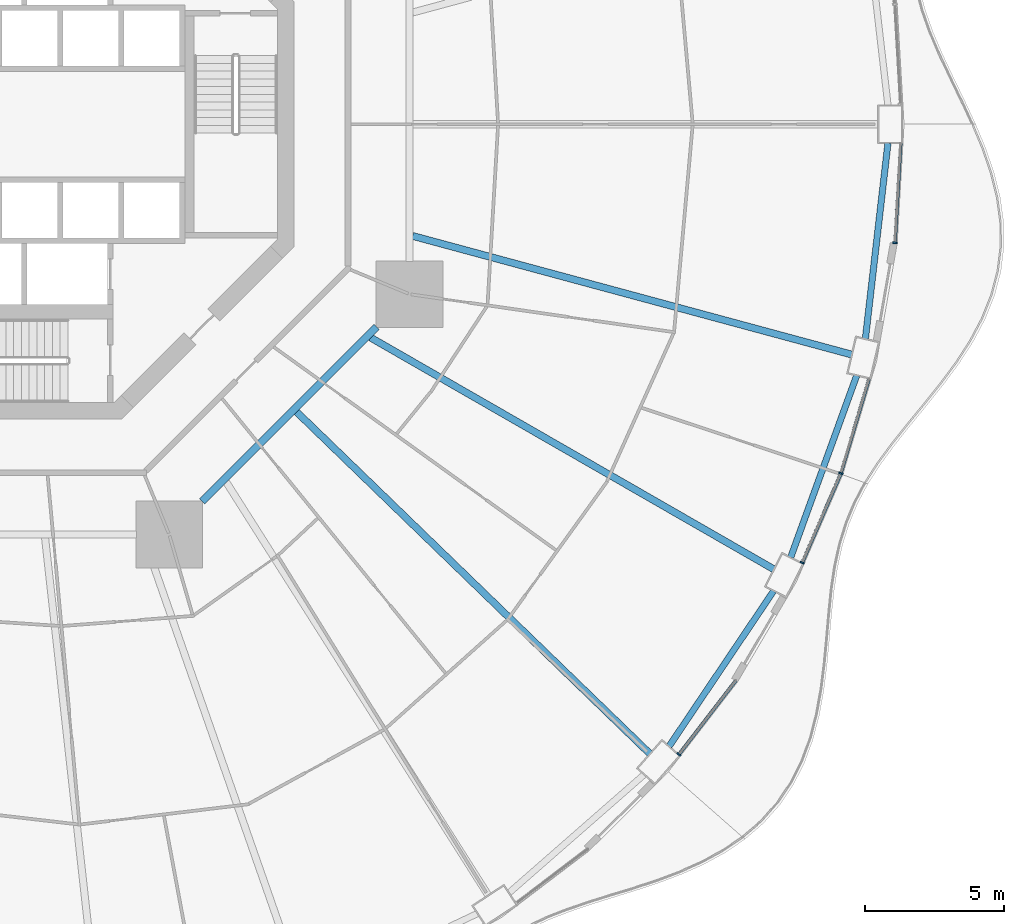
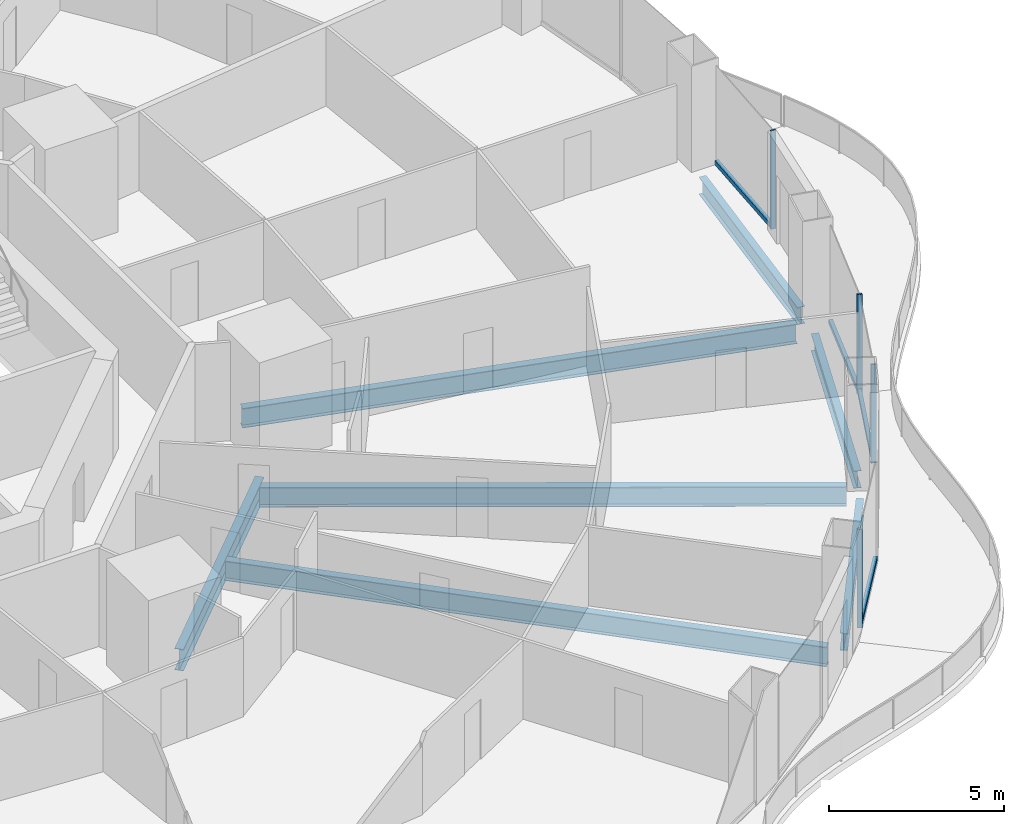
# One storey, part 5 of 21: 8 members, 7 beams, 4 elements without a shape of their own.
"""IFC4 building model written with IfcOpenShell, lengths in metres."""

import ifcopenshell
import ifcopenshell.guid

model = None  # the IFC model being written
_history = None  # IfcOwnerHistory: only IFC2X3 demands one
_inside = {}  # id of a spatial element -> (the spatial element, [elements in it])
_under = {}  # id of a project, library or spatial element -> (it, [spatial elements below it])
_declared = {}  # id of a project -> (the project, [libraries it declares])
_typed = {}  # id of a type object -> (the type object, [elements of that type])
_made_of = {}  # id of a material, layer set ... -> (it, [elements and type objects made of it])


def new_model(schema):
    """Start an empty IFC model of exactly this schema.

    Asked for "IFC4X3", IfcOpenShell would pick the latest addendum, in which some entities
    have other attributes; the version numbers below select the first issue.
    IFC2X3 requires an IfcOwnerHistory on every rooted entity: one is made here for all.
    """
    global model, _history
    if schema == "IFC4X3":
        model = ifcopenshell.file(schema_version=(4, 3, 0, 0))
    else:
        model = ifcopenshell.file(schema=schema)
    _inside.clear()
    _under.clear()
    _declared.clear()
    _typed.clear()
    _made_of.clear()
    _history = None
    if model.schema == "IFC2X3":
        org = make("IfcOrganization", Name="unknown")
        user = make(
            "IfcPersonAndOrganization",
            ThePerson=make("IfcPerson", FamilyName="unknown"),
            TheOrganization=org,
        )
        app = make(
            "IfcApplication",
            ApplicationDeveloper=org,
            Version="unknown",
            ApplicationFullName="unknown",
            ApplicationIdentifier="unknown",
        )
        _history = make(
            "IfcOwnerHistory",
            OwningUser=user,
            OwningApplication=app,
            ChangeAction="ADDED",
            CreationDate=0,
        )
    return model


def make(cls, **values):
    """One entity of the class cls with the attributes given. An attribute that is None is left unset."""
    return model.create_entity(
        cls, **{name: value for name, value in values.items() if value is not None}
    )


def rooted(cls, **values):
    """An entity with a GlobalId (a new one), such as an element, a storey or a relation."""
    return make(cls, GlobalId=ifcopenshell.guid.new(), OwnerHistory=_history, **values)


def si_unit(unit_type, name, prefix=None):
    """IfcSIUnit, for example si_unit("LENGTHUNIT", "METRE", prefix="MILLI")."""
    return make("IfcSIUnit", UnitType=unit_type, Prefix=prefix, Name=name)


def assignment(units):
    """IfcUnitAssignment: the units of a project."""
    return None if units is None else make("IfcUnitAssignment", Units=units)


def point(xyz):
    """IfcCartesianPoint."""
    return None if xyz is None else make("IfcCartesianPoint", Coordinates=xyz)


def direction(xyz):
    """IfcDirection."""
    return None if xyz is None else make("IfcDirection", DirectionRatios=xyz)


def frame(location, z_axis=None, x_axis=None):
    """IfcAxis2Placement3D, a coordinate frame: its origin and axes. An axis left out is left unset."""
    return make(
        "IfcAxis2Placement3D",
        Location=point(location),
        Axis=direction(z_axis),
        RefDirection=direction(x_axis),
    )


def frame_2d(location, x_axis=None):
    """IfcAxis2Placement2D, a coordinate frame in the plane: its origin and x axis."""
    return make(
        "IfcAxis2Placement2D", Location=point(location), RefDirection=direction(x_axis)
    )


def origin():
    """The frame at (0, 0, 0) with its axes left unset."""
    return frame((0.0, 0.0, 0.0))


def origin_2d():
    """The frame at (0, 0) in the plane with its x axis left unset."""
    return frame_2d((0.0, 0.0))


def place(relative_to, where):
    """IfcLocalPlacement: puts the frame where relative to a parent placement (None: the world)."""
    return make(
        "IfcLocalPlacement", PlacementRelTo=relative_to, RelativePlacement=where
    )


def context(
    kind, dimensions, precision=None, world=None, true_north=None, identifier=None
):
    """IfcGeometricRepresentationContext, for example the 3D "Model" context."""
    return make(
        "IfcGeometricRepresentationContext",
        ContextIdentifier=identifier,
        ContextType=kind,
        CoordinateSpaceDimension=dimensions,
        Precision=precision,
        WorldCoordinateSystem=world,
        TrueNorth=true_north,
    )


def subcontext(parent, identifier, kind, view, scale=None):
    """IfcGeometricRepresentationSubContext, for example "Body" below "Model"."""
    return make(
        "IfcGeometricRepresentationSubContext",
        ContextIdentifier=identifier,
        ContextType=kind,
        ParentContext=parent,
        TargetScale=scale,
        TargetView=view,
    )


def project(units=None, contexts=None):
    """IfcProject with its units and contexts."""
    return rooted(
        "IfcProject",
        Name="project",
        RepresentationContexts=contexts,
        UnitsInContext=assignment(units),
    )


def spatial(cls, under=None, at=None, **own):
    """A site, building, storey or space (cls), placed at a placement, below another one or the project."""
    s = rooted(cls, ObjectPlacement=at, **own)
    if under is not None:
        _under.setdefault(under.id(), (under, []))[1].append(s)
    return s


def profile(cls, at=None, kind="AREA", **sizes):
    """A parametric profile (cls). Its sizes go by their IFC names, for example OverallWidth=200.0."""
    return make(cls, ProfileType=kind, Position=at, **sizes)


def rectangle(**sizes):
    """IfcRectangleProfileDef."""
    return profile("IfcRectangleProfileDef", **sizes)


def i_section(**sizes):
    """IfcIShapeProfileDef."""
    return profile("IfcIShapeProfileDef", **sizes)


def extrude(swept, where, along, depth):
    """IfcExtrudedAreaSolid: the profile swept, set in the frame where, extruded along a direction by depth."""
    return make(
        "IfcExtrudedAreaSolid",
        SweptArea=swept,
        Position=where,
        ExtrudedDirection=direction(along),
        Depth=depth,
    )


def shape(context_of_items, identifier, shape_type, items):
    """IfcShapeRepresentation: the items that make up one representation, for example the "Body"."""
    return make(
        "IfcShapeRepresentation",
        ContextOfItems=context_of_items,
        RepresentationIdentifier=identifier,
        RepresentationType=shape_type,
        Items=items,
    )


def material(Name=None, Category=None):
    """IfcMaterial."""
    return make("IfcMaterial", Name=Name, Category=Category)


def layer(
    of_material, thickness, ventilated=None, Name=None, Category=None, Priority=None
):
    """IfcMaterialLayer: one layer of a wall or slab, of a material (None: an air gap)."""
    return make(
        "IfcMaterialLayer",
        Material=of_material,
        LayerThickness=thickness,
        IsVentilated=ventilated,
        Name=Name,
        Category=Category,
        Priority=Priority,
    )


def layer_set(layers, Name=None):
    """IfcMaterialLayerSet."""
    return make("IfcMaterialLayerSet", MaterialLayers=layers, LayerSetName=Name)


def material_profile(
    of_material, cross_section, Name=None, Category=None, Priority=None
):
    """IfcMaterialProfile: a cross section and its material."""
    return make(
        "IfcMaterialProfile",
        Name=Name,
        Material=of_material,
        Profile=cross_section,
        Priority=Priority,
        Category=Category,
    )


def profile_set(profiles, Name=None, composite=None):
    """IfcMaterialProfileSet."""
    return make(
        "IfcMaterialProfileSet",
        Name=Name,
        MaterialProfiles=profiles,
        CompositeProfile=composite,
    )


def made_of(thing, what):
    """Note that an element or type object is made of a material, layer set ...; save() writes the relation."""
    if what is not None:
        _made_of.setdefault(what.id(), (what, []))[1].append(thing)
    return thing


def type_object(cls, material=None, **own):
    """A type object (cls), such as IfcWallType, which elements share."""
    return made_of(rooted(cls, **own), material)


def element(
    cls,
    number,
    at=None,
    inside=None,
    cuts=None,
    type_object=None,
    material=None,
    context=None,
    identifier="Body",
    shape_type=None,
    held_by="IfcProductDefinitionShape",
    body=None,
    shapes=None,
    **own,
):
    """One element of the class cls, such as IfcWall. Its Tag is "e" and its number.

    at: its placement. inside: the storey or other place that contains it. cuts: it is an
    opening in that element (IfcRelVoidsElement). A single representation is given by context,
    identifier, shape_type and body (its items); several are given by shapes. held_by: the class
    of the entity that holds the representations. save() writes the other relations.
    """
    e = rooted(cls, Tag="e%d" % number, ObjectPlacement=at, **own)
    if body is not None:
        shapes = [shape(context, identifier, shape_type, body)]
    if shapes is not None:
        e.Representation = make(held_by, Representations=shapes)
    if inside is not None:
        _inside.setdefault(inside.id(), (inside, []))[1].append(e)
    if cuts is not None:
        rooted(
            "IfcRelVoidsElement", RelatingBuildingElement=cuts, RelatedOpeningElement=e
        )
    if type_object is not None:
        _typed.setdefault(type_object.id(), (type_object, []))[1].append(e)
    return made_of(e, material)


def aggregate(whole, parts):
    """IfcRelAggregates: a whole, such as a stair, and the parts it consists of."""
    return rooted("IfcRelAggregates", RelatingObject=whole, RelatedObjects=parts)


def save(model, path):
    """Write the relations noted so far, then the file.

    IfcRelAggregates (storeys below a building ...), IfcRelContainedInSpatialStructure (elements
    in a storey), IfcRelDefinesByType, IfcRelAssociatesMaterial and IfcRelDeclares: one each for
    every whole, place, type object, material and project.
    """
    for whole, parts in _under.values():
        aggregate(whole, parts)
    for where, things in _inside.values():
        rooted(
            "IfcRelContainedInSpatialStructure",
            RelatedElements=things,
            RelatingStructure=where,
        )
    for kind, things in _typed.values():
        rooted("IfcRelDefinesByType", RelatedObjects=things, RelatingType=kind)
    for what, things in _made_of.values():
        rooted("IfcRelAssociatesMaterial", RelatedObjects=things, RelatingMaterial=what)
    for by, libraries in _declared.values():
        rooted("IfcRelDeclares", RelatingContext=by, RelatedDefinitions=libraries)
    model.write(path)


model = new_model("IFC4")

# Units and contexts
model_context = context("Model", 3, precision=1e-05, world=origin(), true_north=direction((0.0, 1.0)))
body_context = subcontext(model_context, "Body", "Model", "MODEL_VIEW")
ifc_project = project(units=[si_unit("LENGTHUNIT", "METRE"), si_unit("AREAUNIT", "SQUARE_METRE"), si_unit("VOLUMEUNIT", "CUBIC_METRE"), si_unit("PLANEANGLEUNIT", "RADIAN"), si_unit("MASSUNIT", "GRAM", prefix="KILO")], contexts=[model_context])

# Site, building, storey
site_placement = place(None, origin())
site = spatial("IfcSite", under=ifc_project, at=site_placement, CompositionType="ELEMENT")
building_placement = place(site_placement, origin())
building = spatial("IfcBuilding", under=site, at=building_placement, Name="Nagisa Residences", CompositionType="ELEMENT")
storey_placement = place(building_placement, frame((0.0, 0.0, 60.300048828125)))
storey = spatial("IfcBuildingStorey", under=building, at=storey_placement, Name="L14", CompositionType="ELEMENT", Elevation=60.300048828125)

# Curtain wall, member
ifc_material_1 = material(Name="Concrete-coloured aluminium curtain wall system", Category="concrete")
ifc_layer = layer(ifc_material_1, 0.159912109375)
ifc_layer_set = layer_set([ifc_layer], Name="CW1 CURTAIN WALL")
curtain_wall_type = type_object("IfcCurtainWallType", Name="CW1 CURTAIN WALL", PredefinedType="NOTDEFINED", material=ifc_layer_set)
curtain_wall_1_placement = place(storey_placement, origin())
curtain_wall_1 = element("IfcCurtainWall", 1, at=curtain_wall_1_placement, inside=storey, type_object=curtain_wall_type, Name="cw:CW1:L14:42", PredefinedType="NOTDEFINED")
ifc_material_2 = material(Name="Concrete-coloured aluminium", Category="concrete")
ifc_material_profile_1 = material_profile(ifc_material_2, rectangle(XDim=0.159912109375, YDim=0.06005859375, at=origin_2d()), Name="CW1 MULLION 160x60")
ifc_profile_set_1 = profile_set([ifc_material_profile_1], Name="Concrete-coloured aluminium")
member_type_1 = type_object("IfcMemberType", Name="CW1 MULLION 160x60", PredefinedType="MULLION", material=ifc_profile_set_1)
member_1_placement = place(storey_placement, frame((24.48828125, -22.70751953125, 0.0), z_axis=(0.0, 0.0, 1.0), x_axis=(-0.792070340816, 0.610429828235, 0.0)))
member_1 = element("IfcMember", 2, at=member_1_placement, type_object=member_type_1, Name="CW1 mullion", PredefinedType="MULLION", context=body_context, shape_type="SweptSolid", body=[
    extrude(rectangle(XDim=0.159912109375, YDim=0.06005859375, at=origin_2d()), origin(), (0.0, 0.0, 1.0), 3.43994140625),
])

curtain_wall_2_placement = place(storey_placement, origin())
curtain_wall_2 = element("IfcCurtainWall", 3, at=curtain_wall_2_placement, inside=storey, type_object=curtain_wall_type, Name="cw:CW1:L14:44", PredefinedType="NOTDEFINED")
member_2_placement = place(storey_placement, frame((28.931640625, -15.79833984375, 0.0), z_axis=(0.0, 0.0, 1.0), x_axis=(-0.917543276295, 0.397635934147, 0.0)))
member_2 = element("IfcMember", 4, at=member_2_placement, type_object=member_type_1, Name="CW1 mullion", PredefinedType="MULLION", context=body_context, shape_type="SweptSolid", body=[
    extrude(rectangle(XDim=0.159912109375, YDim=0.06005859375, at=origin_2d()), origin(), (0.0, 0.0, 1.0), 3.43994140625),
])

curtain_wall_3_placement = place(storey_placement, origin())
curtain_wall_3 = element("IfcCurtainWall", 5, at=curtain_wall_3_placement, inside=storey, type_object=curtain_wall_type, Name="cw:CW1:L14:45", PredefinedType="NOTDEFINED")
member_3_placement = place(storey_placement, frame((30.324462890625, -12.576904296875, 0.0), z_axis=(0.0, 0.0, 1.0), x_axis=(-0.958271310082, 0.285860274038, 0.0)))
member_3 = element("IfcMember", 6, at=member_3_placement, type_object=member_type_1, Name="CW1 mullion", PredefinedType="MULLION", context=body_context, shape_type="SweptSolid", body=[
    extrude(rectangle(XDim=0.159912109375, YDim=0.06005859375, at=origin_2d()), origin(), (0.0, 0.0, 1.0), 3.43994140625),
])

curtain_wall_4_placement = place(storey_placement, origin())
curtain_wall_4 = element("IfcCurtainWall", 7, at=curtain_wall_4_placement, inside=storey, type_object=curtain_wall_type, Name="cw:CW1:L14:47", PredefinedType="NOTDEFINED")
member_4_placement = place(storey_placement, frame((32.273681640625, -4.272705078125, 0.0), z_axis=(0.0, 0.0, 1.0), x_axis=(-0.998345305184, 0.057503492216, 0.0)))
member_4 = element("IfcMember", 8, at=member_4_placement, type_object=member_type_1, Name="CW1 mullion", PredefinedType="MULLION", context=body_context, shape_type="SweptSolid", body=[
    extrude(rectangle(XDim=0.159912109375, YDim=0.06005859375, at=origin_2d()), origin(), (0.0, 0.0, 1.0), 3.43994140625),
])

# Member
ifc_material_3 = material(Name="Concrete-coloured aluminium", Category="concrete")
ifc_material_profile_2 = material_profile(ifc_material_3, rectangle(XDim=0.1201171875, YDim=0.14990234375, at=origin_2d()), Name="CW1 TRANSOM 120x150")
ifc_profile_set_2 = profile_set([ifc_material_profile_2], Name="Concrete-coloured aluminium")
member_type_2 = type_object("IfcMemberType", Name="CW1 TRANSOM 120x150", PredefinedType="USERDEFINED", material=ifc_profile_set_2)
member_5_placement = place(storey_placement, frame((24.469970703125, -22.731201171875, 0.074951171875), z_axis=(0.610457147657, 0.792049285635, 0.0), x_axis=(-0.792049285635, 0.610457147657, 0.0)))
member_5 = element("IfcMember", 9, at=member_5_placement, type_object=member_type_2, Name="CW1 transom", ObjectType="TRANSOM", PredefinedType="USERDEFINED", context=body_context, shape_type="SweptSolid", body=[
    extrude(rectangle(XDim=0.1201171875, YDim=0.14990234375, at=origin_2d()), origin(), (0.0, 0.0, 1.0), 3.3974609375),
])

aggregate(curtain_wall_1, [member_1, member_5])

member_6_placement = place(storey_placement, frame((28.919677734375, -15.825927734375, 0.074951171875), z_axis=(0.397624958345, 0.917548032803, 0.0), x_axis=(-0.917548032803, 0.397624958345, 0.0)))
member_6 = element("IfcMember", 10, at=member_6_placement, type_object=member_type_2, Name="CW1 transom", ObjectType="TRANSOM", PredefinedType="USERDEFINED", context=body_context, shape_type="SweptSolid", body=[
    extrude(rectangle(XDim=0.1201171875, YDim=0.14990234375, at=origin_2d()), origin(), (0.0, 0.0, 1.0), 3.51953125),
])

aggregate(curtain_wall_2, [member_2, member_6])

member_7_placement = place(storey_placement, frame((30.31591796875, -12.605712890625, 0.074951171875), z_axis=(0.285871309426, 0.958268018065, 0.0), x_axis=(-0.958268018065, 0.285871309426, 0.0)))
member_7 = element("IfcMember", 11, at=member_7_placement, type_object=member_type_2, Name="CW1 transom", ObjectType="TRANSOM", PredefinedType="USERDEFINED", context=body_context, shape_type="SweptSolid", body=[
    extrude(rectangle(XDim=0.1201171875, YDim=0.14990234375, at=origin_2d()), origin(), (0.0, 0.0, 1.0), 3.5654296875),
])

aggregate(curtain_wall_3, [member_3, member_7])

member_8_placement = place(storey_placement, frame((32.27197265625, -4.302734375, 0.074951171875), z_axis=(0.057549926952, 0.998342629515, 0.0), x_axis=(-0.998342629515, 0.057549926952, 0.0)))
member_8 = element("IfcMember", 12, at=member_8_placement, type_object=member_type_2, Name="CW1 transom", ObjectType="TRANSOM", PredefinedType="USERDEFINED", context=body_context, shape_type="SweptSolid", body=[
    extrude(rectangle(XDim=0.1201171875, YDim=0.14990234375, at=origin_2d()), origin(), (0.0, 0.0, 1.0), 3.614501953125),
])

aggregate(curtain_wall_4, [member_4, member_8])

# Beams
ifc_material_4 = material(Name="Steel ASTM A572 Gr 50", Category="steel")
ifc_material_profile_3 = material_profile(ifc_material_4, i_section(OverallWidth=0.264892578125, OverallDepth=0.7529296875, WebThickness=0.01318359375, FlangeThickness=0.01708984375, at=origin_2d()), Name="W760x147")
ifc_profile_set_3 = profile_set([ifc_material_profile_3], Name="Steel ASTM A572 Gr 50")
beam_type_1 = type_object("IfcBeamType", Name="Inner ring beam W760x147", PredefinedType="BEAM", material=ifc_profile_set_3)
beam_1_placement = place(storey_placement, frame((7.308837890625, -13.59619140625, -0.636474609375), z_axis=(0.707106781187, 0.707106781187, 0.0), x_axis=(-0.707106781187, 0.707106781187, 0.0)))
element("IfcBeam", 13, at=beam_1_placement, inside=storey, type_object=beam_type_1, Name="beam:L14:ib7", PredefinedType="BEAM", context=body_context, shape_type="SweptSolid", body=[
    extrude(i_section(OverallWidth=0.264892578125, OverallDepth=0.7529296875, WebThickness=0.01318359375, FlangeThickness=0.01708984375, at=origin_2d()), origin(), (0.0, 0.0, 1.0), 8.8916015625),
])
ifc_material_5 = material(Name="Steel ASTM A572 Gr 50", Category="steel")
ifc_material_profile_4 = material_profile(ifc_material_5, i_section(OverallWidth=0.22802734375, OverallDepth=0.60302734375, WebThickness=0.010498046875, FlangeThickness=0.014892578125, at=origin_2d()), Name="W610x101")
ifc_profile_set_4 = profile_set([ifc_material_profile_4], Name="Steel ASTM A572 Gr 50")
beam_type_2 = type_object("IfcBeamType", Name="Perimeter ring beam W610x101", PredefinedType="BEAM", material=ifc_profile_set_4)
beam_2_placement = place(storey_placement, frame((24.135498046875, -22.411865234375, -0.5615234375), z_axis=(0.558271879663, 0.829658067144, 0.0), x_axis=(-0.829658067144, 0.558271879663, 0.0)))
element("IfcBeam", 14, at=beam_2_placement, inside=storey, type_object=beam_type_2, Name="beam:L14:pb22", PredefinedType="BEAM", context=body_context, shape_type="SweptSolid", body=[
    extrude(i_section(OverallWidth=0.22802734375, OverallDepth=0.60302734375, WebThickness=0.010498046875, FlangeThickness=0.014892578125, at=origin_2d()), origin(), (0.0, 0.0, 1.0), 6.74169921875),
])
beam_3_placement = place(storey_placement, frame((28.515625, -15.60595703125, -0.5615234375), z_axis=(0.341411143183, 0.939914055279, 0.0), x_axis=(-0.939914055279, 0.341411143183, 0.0)))
element("IfcBeam", 15, at=beam_3_placement, inside=storey, type_object=beam_type_2, Name="beam:L14:pb23", PredefinedType="BEAM", context=body_context, shape_type="SweptSolid", body=[
    extrude(i_section(OverallWidth=0.22802734375, OverallDepth=0.60302734375, WebThickness=0.010498046875, FlangeThickness=0.014892578125, at=origin_2d()), origin(), (0.0, 0.0, 1.0), 6.96923828125),
])
beam_4_placement = place(storey_placement, frame((31.20751953125, -7.7314453125, -0.5615234375), z_axis=(0.114673717321, 0.993403210462, 0.0), x_axis=(-0.993403210462, 0.114673717321, 0.0)))
element("IfcBeam", 16, at=beam_4_placement, inside=storey, type_object=beam_type_2, Name="beam:L14:pb24", PredefinedType="BEAM", context=body_context, shape_type="SweptSolid", body=[
    extrude(i_section(OverallWidth=0.22802734375, OverallDepth=0.60302734375, WebThickness=0.010498046875, FlangeThickness=0.014892578125, at=origin_2d()), origin(), (0.0, 0.0, 1.0), 7.09814453125),
])
ifc_material_6 = material(Name="Steel ASTM A572 Gr 50", Category="steel")
ifc_material_profile_5 = material_profile(ifc_material_6, i_section(OverallWidth=0.25390625, OverallDepth=0.68408203125, WebThickness=0.012451171875, FlangeThickness=0.018798828125, at=origin_2d()), Name="W690x140")
ifc_profile_set_5 = profile_set([ifc_material_profile_5], Name="Steel ASTM A572 Gr 50")
beam_type_3 = type_object("IfcBeamType", Name="Radial beam W690x140", PredefinedType="BEAM", material=ifc_profile_set_5)
beam_5_placement = place(storey_placement, frame((23.443115234375, -22.681640625, -0.60205078125), z_axis=(-0.718678305776, 0.695342716081, 0.0), x_axis=(-0.695342716081, -0.718678305776, 0.0)))
element("IfcBeam", 17, at=beam_5_placement, inside=storey, type_object=beam_type_3, Name="beam:L14:rb22", PredefinedType="BEAM", context=body_context, shape_type="SweptSolid", body=[
    extrude(i_section(OverallWidth=0.25390625, OverallDepth=0.68408203125, WebThickness=0.012451171875, FlangeThickness=0.018798828125, at=origin_2d()), origin(), (0.0, 0.0, 1.0), 17.722900390625),
])
beam_6_placement = place(storey_placement, frame((27.908447265625, -16.035400390625, -0.60205078125), z_axis=(-0.867068052258, 0.498189715623, 0.0), x_axis=(-0.498189715623, -0.867068052258, 0.0)))
element("IfcBeam", 18, at=beam_6_placement, inside=storey, type_object=beam_type_3, Name="beam:L14:rb23", PredefinedType="BEAM", context=body_context, shape_type="SweptSolid", body=[
    extrude(i_section(OverallWidth=0.25390625, OverallDepth=0.68408203125, WebThickness=0.012451171875, FlangeThickness=0.018798828125, at=origin_2d()), origin(), (0.0, 0.0, 1.0), 16.758056640625),
])
beam_7_placement = place(storey_placement, frame((30.713623046875, -8.29931640625, -0.60205078125), z_axis=(-0.965375968847, 0.260862490162, 0.0), x_axis=(-0.260862490162, -0.965375968847, 0.0)))
element("IfcBeam", 19, at=beam_7_placement, inside=storey, type_object=beam_type_3, Name="beam:L14:rb24", PredefinedType="BEAM", context=body_context, shape_type="SweptSolid", body=[
    extrude(i_section(OverallWidth=0.25390625, OverallDepth=0.68408203125, WebThickness=0.012451171875, FlangeThickness=0.018798828125, at=origin_2d()), origin(), (0.0, 0.0, 1.0), 16.3857421875),
])

save(model, "model.ifc")
